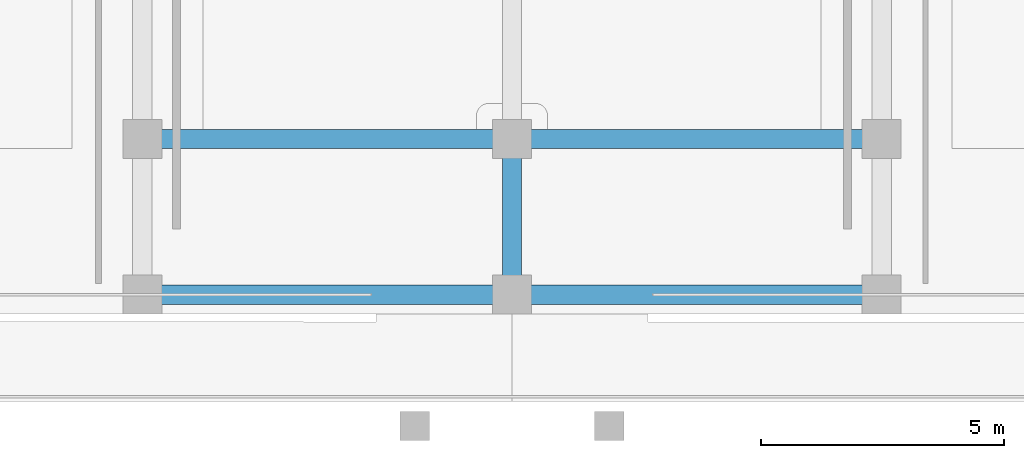
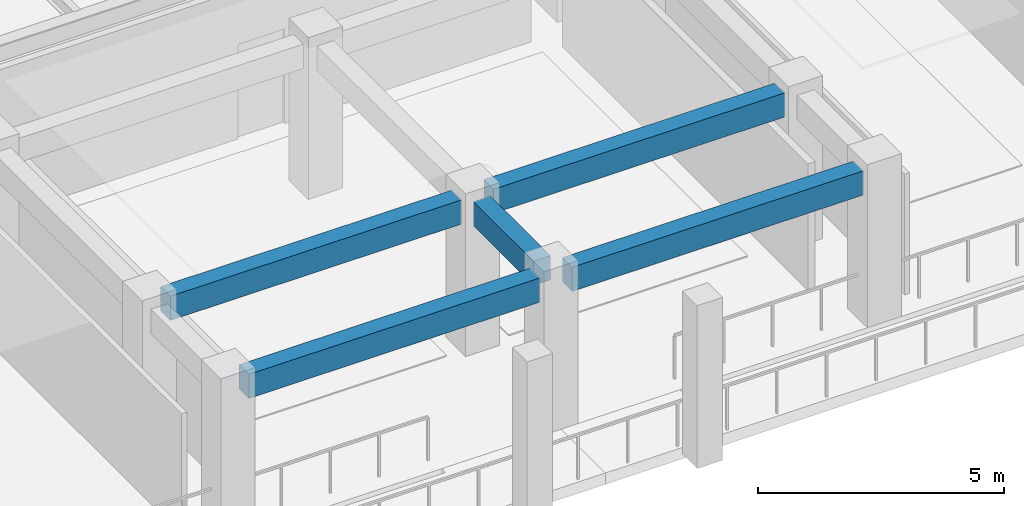
# One storey, part 17 of 87: 5 beams.
"""IFC4 building model written with IfcOpenShell, lengths in metres."""

import ifcopenshell
import ifcopenshell.guid

model = None  # the IFC model being written
_history = None  # IfcOwnerHistory: only IFC2X3 demands one
_inside = {}  # id of a spatial element -> (the spatial element, [elements in it])
_under = {}  # id of a project, library or spatial element -> (it, [spatial elements below it])
_declared = {}  # id of a project -> (the project, [libraries it declares])
_typed = {}  # id of a type object -> (the type object, [elements of that type])
_made_of = {}  # id of a material, layer set ... -> (it, [elements and type objects made of it])


def new_model(schema):
    """Start an empty IFC model of exactly this schema.

    Asked for "IFC4X3", IfcOpenShell would pick the latest addendum, in which some entities
    have other attributes; the version numbers below select the first issue.
    IFC2X3 requires an IfcOwnerHistory on every rooted entity: one is made here for all.
    """
    global model, _history
    if schema == "IFC4X3":
        model = ifcopenshell.file(schema_version=(4, 3, 0, 0))
    else:
        model = ifcopenshell.file(schema=schema)
    _inside.clear()
    _under.clear()
    _declared.clear()
    _typed.clear()
    _made_of.clear()
    _history = None
    if model.schema == "IFC2X3":
        org = make("IfcOrganization", Name="unknown")
        user = make(
            "IfcPersonAndOrganization",
            ThePerson=make("IfcPerson", FamilyName="unknown"),
            TheOrganization=org,
        )
        app = make(
            "IfcApplication",
            ApplicationDeveloper=org,
            Version="unknown",
            ApplicationFullName="unknown",
            ApplicationIdentifier="unknown",
        )
        _history = make(
            "IfcOwnerHistory",
            OwningUser=user,
            OwningApplication=app,
            ChangeAction="ADDED",
            CreationDate=0,
        )
    return model


def make(cls, **values):
    """One entity of the class cls with the attributes given. An attribute that is None is left unset."""
    return model.create_entity(
        cls, **{name: value for name, value in values.items() if value is not None}
    )


def rooted(cls, **values):
    """An entity with a GlobalId (a new one), such as an element, a storey or a relation."""
    return make(cls, GlobalId=ifcopenshell.guid.new(), OwnerHistory=_history, **values)


def si_unit(unit_type, name, prefix=None):
    """IfcSIUnit, for example si_unit("LENGTHUNIT", "METRE", prefix="MILLI")."""
    return make("IfcSIUnit", UnitType=unit_type, Prefix=prefix, Name=name)


def assignment(units):
    """IfcUnitAssignment: the units of a project."""
    return None if units is None else make("IfcUnitAssignment", Units=units)


def point(xyz):
    """IfcCartesianPoint."""
    return None if xyz is None else make("IfcCartesianPoint", Coordinates=xyz)


def direction(xyz):
    """IfcDirection."""
    return None if xyz is None else make("IfcDirection", DirectionRatios=xyz)


def frame(location, z_axis=None, x_axis=None):
    """IfcAxis2Placement3D, a coordinate frame: its origin and axes. An axis left out is left unset."""
    return make(
        "IfcAxis2Placement3D",
        Location=point(location),
        Axis=direction(z_axis),
        RefDirection=direction(x_axis),
    )


def frame_2d(location, x_axis=None):
    """IfcAxis2Placement2D, a coordinate frame in the plane: its origin and x axis."""
    return make(
        "IfcAxis2Placement2D", Location=point(location), RefDirection=direction(x_axis)
    )


def origin():
    """The frame at (0, 0, 0) with its axes left unset."""
    return frame((0.0, 0.0, 0.0))


def origin_2d():
    """The frame at (0, 0) in the plane with its x axis left unset."""
    return frame_2d((0.0, 0.0))


def place(relative_to, where):
    """IfcLocalPlacement: puts the frame where relative to a parent placement (None: the world)."""
    return make(
        "IfcLocalPlacement", PlacementRelTo=relative_to, RelativePlacement=where
    )


def context(
    kind, dimensions, precision=None, world=None, true_north=None, identifier=None
):
    """IfcGeometricRepresentationContext, for example the 3D "Model" context."""
    return make(
        "IfcGeometricRepresentationContext",
        ContextIdentifier=identifier,
        ContextType=kind,
        CoordinateSpaceDimension=dimensions,
        Precision=precision,
        WorldCoordinateSystem=world,
        TrueNorth=true_north,
    )


def subcontext(parent, identifier, kind, view, scale=None):
    """IfcGeometricRepresentationSubContext, for example "Body" below "Model"."""
    return make(
        "IfcGeometricRepresentationSubContext",
        ContextIdentifier=identifier,
        ContextType=kind,
        ParentContext=parent,
        TargetScale=scale,
        TargetView=view,
    )


def project(units=None, contexts=None):
    """IfcProject with its units and contexts."""
    return rooted(
        "IfcProject",
        Name="project",
        RepresentationContexts=contexts,
        UnitsInContext=assignment(units),
    )


def spatial(cls, under=None, at=None, **own):
    """A site, building, storey or space (cls), placed at a placement, below another one or the project."""
    s = rooted(cls, ObjectPlacement=at, **own)
    if under is not None:
        _under.setdefault(under.id(), (under, []))[1].append(s)
    return s


def profile(cls, at=None, kind="AREA", **sizes):
    """A parametric profile (cls). Its sizes go by their IFC names, for example OverallWidth=200.0."""
    return make(cls, ProfileType=kind, Position=at, **sizes)


def rectangle(**sizes):
    """IfcRectangleProfileDef."""
    return profile("IfcRectangleProfileDef", **sizes)


def extrude(swept, where, along, depth):
    """IfcExtrudedAreaSolid: the profile swept, set in the frame where, extruded along a direction by depth."""
    return make(
        "IfcExtrudedAreaSolid",
        SweptArea=swept,
        Position=where,
        ExtrudedDirection=direction(along),
        Depth=depth,
    )


def shape(context_of_items, identifier, shape_type, items):
    """IfcShapeRepresentation: the items that make up one representation, for example the "Body"."""
    return make(
        "IfcShapeRepresentation",
        ContextOfItems=context_of_items,
        RepresentationIdentifier=identifier,
        RepresentationType=shape_type,
        Items=items,
    )


def material(Name=None, Category=None):
    """IfcMaterial."""
    return make("IfcMaterial", Name=Name, Category=Category)


def material_profile(
    of_material, cross_section, Name=None, Category=None, Priority=None
):
    """IfcMaterialProfile: a cross section and its material."""
    return make(
        "IfcMaterialProfile",
        Name=Name,
        Material=of_material,
        Profile=cross_section,
        Priority=Priority,
        Category=Category,
    )


def profile_set(profiles, Name=None, composite=None):
    """IfcMaterialProfileSet."""
    return make(
        "IfcMaterialProfileSet",
        Name=Name,
        MaterialProfiles=profiles,
        CompositeProfile=composite,
    )


def made_of(thing, what):
    """Note that an element or type object is made of a material, layer set ...; save() writes the relation."""
    if what is not None:
        _made_of.setdefault(what.id(), (what, []))[1].append(thing)
    return thing


def type_object(cls, material=None, **own):
    """A type object (cls), such as IfcWallType, which elements share."""
    return made_of(rooted(cls, **own), material)


def element(
    cls,
    number,
    at=None,
    inside=None,
    cuts=None,
    type_object=None,
    material=None,
    context=None,
    identifier="Body",
    shape_type=None,
    held_by="IfcProductDefinitionShape",
    body=None,
    shapes=None,
    **own,
):
    """One element of the class cls, such as IfcWall. Its Tag is "e" and its number.

    at: its placement. inside: the storey or other place that contains it. cuts: it is an
    opening in that element (IfcRelVoidsElement). A single representation is given by context,
    identifier, shape_type and body (its items); several are given by shapes. held_by: the class
    of the entity that holds the representations. save() writes the other relations.
    """
    e = rooted(cls, Tag="e%d" % number, ObjectPlacement=at, **own)
    if body is not None:
        shapes = [shape(context, identifier, shape_type, body)]
    if shapes is not None:
        e.Representation = make(held_by, Representations=shapes)
    if inside is not None:
        _inside.setdefault(inside.id(), (inside, []))[1].append(e)
    if cuts is not None:
        rooted(
            "IfcRelVoidsElement", RelatingBuildingElement=cuts, RelatedOpeningElement=e
        )
    if type_object is not None:
        _typed.setdefault(type_object.id(), (type_object, []))[1].append(e)
    return made_of(e, material)


def aggregate(whole, parts):
    """IfcRelAggregates: a whole, such as a stair, and the parts it consists of."""
    return rooted("IfcRelAggregates", RelatingObject=whole, RelatedObjects=parts)


def save(model, path):
    """Write the relations noted so far, then the file.

    IfcRelAggregates (storeys below a building ...), IfcRelContainedInSpatialStructure (elements
    in a storey), IfcRelDefinesByType, IfcRelAssociatesMaterial and IfcRelDeclares: one each for
    every whole, place, type object, material and project.
    """
    for whole, parts in _under.values():
        aggregate(whole, parts)
    for where, things in _inside.values():
        rooted(
            "IfcRelContainedInSpatialStructure",
            RelatedElements=things,
            RelatingStructure=where,
        )
    for kind, things in _typed.values():
        rooted("IfcRelDefinesByType", RelatedObjects=things, RelatingType=kind)
    for what, things in _made_of.values():
        rooted("IfcRelAssociatesMaterial", RelatedObjects=things, RelatingMaterial=what)
    for by, libraries in _declared.values():
        rooted("IfcRelDeclares", RelatingContext=by, RelatedDefinitions=libraries)
    model.write(path)


model = new_model("IFC4")

# Units and contexts
model_context = context("Model", 3, precision=1e-05, world=origin(), true_north=direction((0.0, 1.0)))
body_context = subcontext(model_context, "Body", "Model", "MODEL_VIEW")
ifc_project = project(units=[si_unit("LENGTHUNIT", "METRE"), si_unit("AREAUNIT", "SQUARE_METRE"), si_unit("VOLUMEUNIT", "CUBIC_METRE"), si_unit("PLANEANGLEUNIT", "RADIAN"), si_unit("MASSUNIT", "GRAM", prefix="KILO")], contexts=[model_context])

# Site, building, storey
site_placement = place(None, origin())
site = spatial("IfcSite", under=ifc_project, at=site_placement, CompositionType="ELEMENT")
building_placement = place(site_placement, origin())
building = spatial("IfcBuilding", under=site, at=building_placement, Name="Saryqyr Civic Hall", CompositionType="ELEMENT")
storey_placement = place(building_placement, frame((0.0, 0.0, 5.10009765625)))
storey = spatial("IfcBuildingStorey", under=building, at=storey_placement, Name="L01", CompositionType="ELEMENT", Elevation=5.10009765625)

# Beams
ifc_material = material(Name="Concrete C35/45", Category="concrete")
ifc_material_profile = material_profile(ifc_material, rectangle(XDim=0.39990234375, YDim=0.60009765625, at=origin_2d()), Name="RC 400x600")
ifc_profile_set = profile_set([ifc_material_profile], Name="Concrete C35/45")
beam_type = type_object("IfcBeamType", Name="STR-BM-RC400x600", PredefinedType="BEAM", material=ifc_profile_set)
beam_placement = place(storey_placement, frame((57.0, 58.574951171875, 3.469970703125), z_axis=(0.0, 1.0, 0.0), x_axis=(-1.0, 0.0, 0.0)))
element("IfcBeam", 1, at=beam_placement, inside=storey, type_object=beam_type, Name="Beam V1-TBM-08-L01", PredefinedType="BEAM", context=body_context, shape_type="SweptSolid", body=[
    extrude(rectangle(XDim=0.39990234375, YDim=0.60009765625, at=origin_2d()), origin(), (0.0, 0.0, 1.0), 2.449951171875),
])
for number, where, z_axis, x_axis, name in (
    (2, (49.77490234375, 58.199951171875, 3.469970703125), (1.0, 0.0, 0.0), (0.0, 1.0, 0.0), "Beam V1-TBM-17-L01"),
    (3, (57.375, 58.199951171875, 3.469970703125), (1.0, 0.0, 0.0), (0.0, 1.0, 0.0), "Beam V1-TBM-18-L01"),
    (4, (49.77490234375, 61.39990234375, 3.469970703125), (1.0, 0.0, 0.0), (0.0, 1.0, 0.0), "Beam V1-TBM-37-L01"),
    (5, (57.375, 61.39990234375, 3.469970703125), (1.0, 0.0, 0.0), (0.0, 1.0, 0.0), "Beam V1-TBM-38-L01"),
):
    element("IfcBeam", number, at=place(storey_placement, frame(where, z_axis=z_axis, x_axis=x_axis)), inside=storey, type_object=beam_type, Name=name, PredefinedType="BEAM", context=body_context, shape_type="SweptSolid", body=[
        extrude(rectangle(XDim=0.39990234375, YDim=0.60009765625, at=origin_2d()), origin(), (0.0, 0.0, 1.0), 6.85009765625),
    ])

save(model, "model.ifc")
